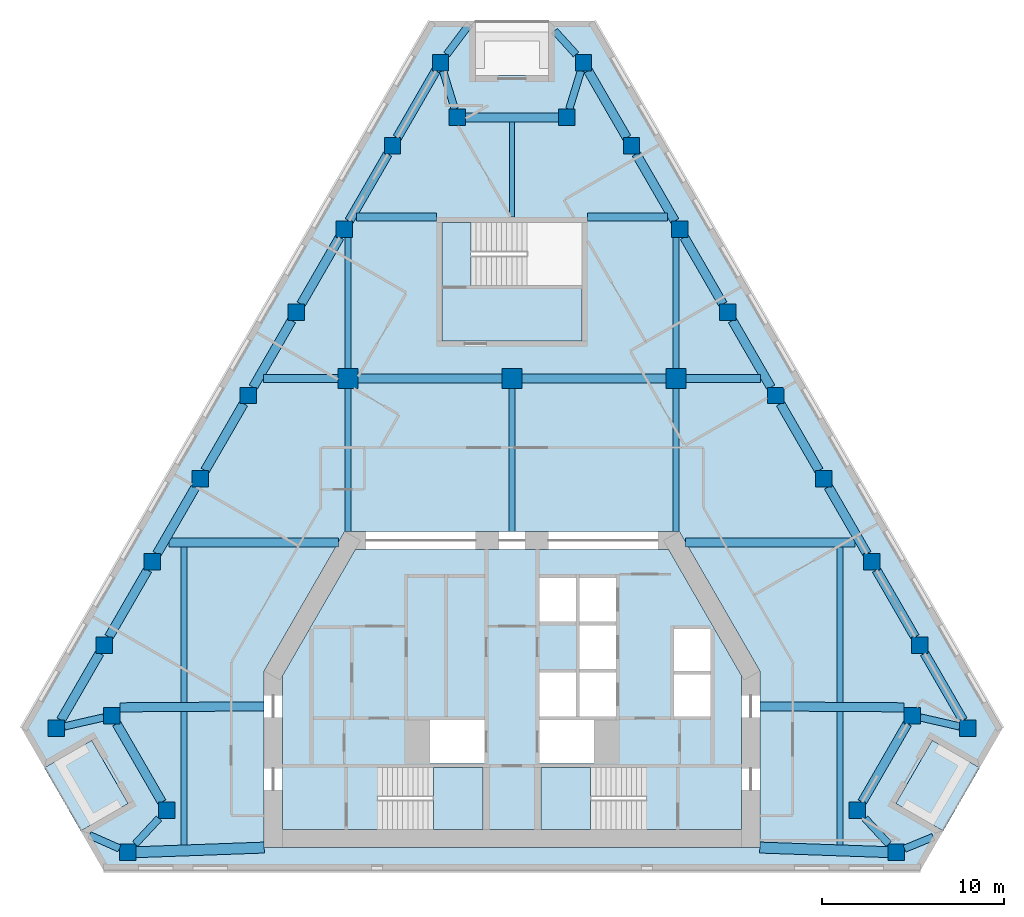
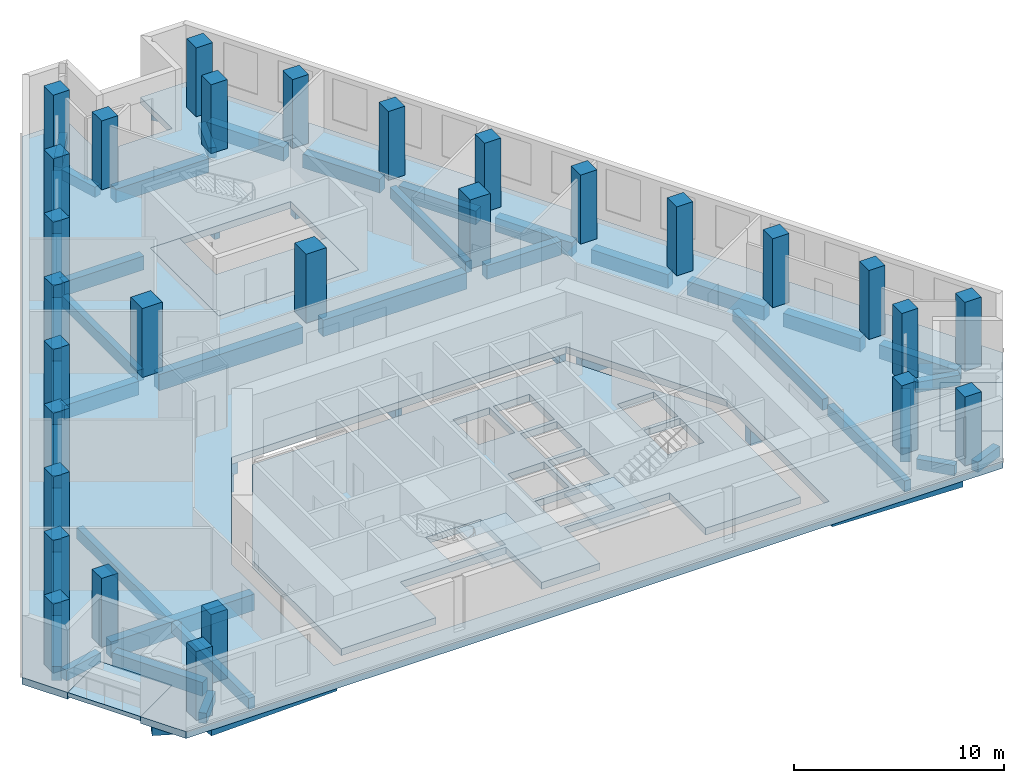
# One storey, part 1 of 8: 51 beams, 29 columns, 7 slabs, 2 elements without a shape of their own.
"""IFC4 building model written with IfcOpenShell, lengths in metres."""

from ifc_helpers import new_model, si_unit, direction, frame, origin, origin_2d, place, context, subcontext, project, spatial, polyline, rectangle, outline, extrude, material, layer, layer_set, material_profile, profile_set, type_object, element, aggregate, save


model = new_model("IFC4")

# Units and contexts
model_context = context("Model", 3, precision=1e-05, world=origin(), true_north=direction((0.0, 1.0)))
body_context = subcontext(model_context, "Body", "Model", "MODEL_VIEW")
ifc_project = project(units=[si_unit("LENGTHUNIT", "METRE"), si_unit("AREAUNIT", "SQUARE_METRE"), si_unit("VOLUMEUNIT", "CUBIC_METRE"), si_unit("PLANEANGLEUNIT", "RADIAN"), si_unit("MASSUNIT", "GRAM", prefix="KILO")], contexts=[model_context])

# Site, building, storey
site_placement = place(None, origin())
site = spatial("IfcSite", under=ifc_project, at=site_placement, CompositionType="ELEMENT")
building_placement = place(site_placement, origin())
building = spatial("IfcBuilding", under=site, at=building_placement, Name="Fogline Exchange Tower", CompositionType="ELEMENT")
storey_placement = place(building_placement, frame((0.0, 0.0, 223.5)))
storey = spatial("IfcBuildingStorey", under=building, at=storey_placement, Name="L50", CompositionType="ELEMENT", Elevation=223.5)

# Columns
ifc_material_1 = material(Name="Concrete C60", Category="concrete")
ifc_material_profile_1 = material_profile(ifc_material_1, rectangle(XDim=1.10009765625, YDim=1.10009765625, at=origin_2d()), Name="RC 1100x1100")
ifc_profile_set_1 = profile_set([ifc_material_profile_1], Name="Concrete C60")
column_type_1 = type_object("IfcColumnType", Name="C05", PredefinedType="COLUMN", material=ifc_profile_set_1)
for number, where, z_axis, x_axis, name in (
    (1, (-9.0, 27.0, 0.0), (0.0, 0.0, 1.0), (1.0, 0.0, 0.0), "IC--9-27"),
    (2, (0.0, 27.0, 0.0), (0.0, 0.0, 1.0), (1.0, 0.0, 0.0), "IC-0-27"),
    (3, (9.0, 27.0, 0.0), (0.0, 0.0, 1.0), (1.0, 0.0, 0.0), "IC-9-27"),
):
    element("IfcColumn", number, at=place(storey_placement, frame(where, z_axis=z_axis, x_axis=x_axis)), inside=storey, type_object=column_type_1, Name=name, PredefinedType="COLUMN", context=body_context, shape_type="SweptSolid", body=[
        extrude(rectangle(XDim=1.10009765625, YDim=1.10009765625, at=origin_2d()), origin(), (0.0, 0.0, 1.0), 4.0),
    ])
ifc_material_profile_2 = material_profile(ifc_material_1, rectangle(XDim=0.89990234375, YDim=0.89990234375, at=origin_2d()), Name="RC 900x900")
ifc_profile_set_2 = profile_set([ifc_material_profile_2], Name="Concrete C60")
column_type_2 = type_object("IfcColumnType", Name="C06", PredefinedType="COLUMN", material=ifc_profile_set_2)
for number, where, z_axis, x_axis, name in (
    (4, (-25.0146484375, 7.794189453125, 0.0), (0.0, 0.0, 1.0), (1.0, 0.0, 0.0), "SW-a"),
    (5, (-21.955322265625, 8.4951171875, 0.0), (0.0, 0.0, 1.0), (1.0, 0.0, 0.0), "SW-p4"),
    (6, (-18.955322265625, 3.299072265625, 0.0), (0.0, 0.0, 1.0), (1.0, 0.0, 0.0), "SW-p3"),
    (7, (-21.092041015625, 1.0, 0.0), (0.0, 0.0, 1.0), (1.0, 0.0, 0.0), "SW-b"),
    (8, (21.092041015625, 1.0, 0.0), (0.0, 0.0, 1.0), (1.0, 0.0, 0.0), "SE-a"),
    (9, (18.955322265625, 3.299072265625, 0.0), (0.0, 0.0, 1.0), (1.0, 0.0, 0.0), "SE-p4"),
    (10, (21.955322265625, 8.4951171875, 0.0), (0.0, 0.0, 1.0), (1.0, 0.0, 0.0), "SE-p3"),
    (11, (25.0146484375, 7.794189453125, 0.0), (0.0, 0.0, 1.0), (1.0, 0.0, 0.0), "SE-b"),
    (12, (22.378173828125, 12.36083984375, 0.0), (0.0, 0.0, 1.0), (1.0, 0.0, 0.0), "E1"),
    (13, (19.74169921875, 16.92724609375, 0.0), (0.0, 0.0, 1.0), (1.0, 0.0, 0.0), "E2"),
    (14, (17.105224609375, 21.493896484375, 0.0), (0.0, 0.0, 1.0), (1.0, 0.0, 0.0), "E3"),
    (15, (14.46875, 26.060302734375, 0.0), (0.0, 0.0, 1.0), (1.0, 0.0, 0.0), "E4"),
    (16, (11.832275390625, 30.626953125, 0.0), (0.0, 0.0, 1.0), (1.0, 0.0, 0.0), "E5"),
    (17, (9.19580078125, 35.193603515625, 0.0), (0.0, 0.0, 1.0), (1.0, 0.0, 0.0), "E6"),
    (18, (6.55908203125, 39.760009765625, 0.0), (0.0, 0.0, 1.0), (1.0, 0.0, 0.0), "E7"),
    (19, (3.922607421875, 44.32666015625, 0.0), (0.0, 0.0, 1.0), (1.0, 0.0, 0.0), "N-a"),
    (20, (3.0, 41.32666015625, 0.0), (0.0, 0.0, 1.0), (1.0, 0.0, 0.0), "N-p4"),
    (21, (-3.0, 41.32666015625, 0.0), (0.0, 0.0, 1.0), (1.0, 0.0, 0.0), "N-p3"),
    (22, (-3.922607421875, 44.32666015625, 0.0), (0.0, 0.0, 1.0), (1.0, 0.0, 0.0), "N-b"),
    (23, (-6.55908203125, 39.760009765625, 0.0), (0.0, 0.0, 1.0), (1.0, 0.0, 0.0), "W1"),
    (24, (-9.19580078125, 35.193603515625, 0.0), (0.0, 0.0, 1.0), (1.0, 0.0, 0.0), "W2"),
    (25, (-11.832275390625, 30.626953125, 0.0), (0.0, 0.0, 1.0), (1.0, 0.0, 0.0), "W3"),
    (26, (-14.46875, 26.060302734375, 0.0), (0.0, 0.0, 1.0), (1.0, 0.0, 0.0), "W4"),
    (27, (-17.105224609375, 21.493896484375, 0.0), (0.0, 0.0, 1.0), (1.0, 0.0, 0.0), "W5"),
    (28, (-19.74169921875, 16.92724609375, 0.0), (0.0, 0.0, 1.0), (1.0, 0.0, 0.0), "W6"),
    (29, (-22.378173828125, 12.36083984375, 0.0), (0.0, 0.0, 1.0), (1.0, 0.0, 0.0), "W7"),
):
    element("IfcColumn", number, at=place(storey_placement, frame(where, z_axis=z_axis, x_axis=x_axis)), inside=storey, type_object=column_type_2, Name=name, PredefinedType="COLUMN", context=body_context, shape_type="SweptSolid", body=[
        extrude(rectangle(XDim=0.89990234375, YDim=0.89990234375, at=origin_2d()), origin(), (0.0, 0.0, 1.0), 4.0),
    ])

# Beams
ifc_material_2 = material(Name="Concrete C40", Category="concrete")
ifc_material_profile_3 = material_profile(ifc_material_2, rectangle(XDim=0.300048828125, YDim=0.60009765625, at=origin_2d()), Name="RC 300x600")
ifc_profile_set_3 = profile_set([ifc_material_profile_3], Name="Concrete C40")
beam_type_1 = type_object("IfcBeamType", Name="B06", PredefinedType="BEAM", material=ifc_profile_set_3)
beam_1_placement = place(storey_placement, frame((0.0, 35.85693359375, -0.699951171875), z_axis=(0.0, 1.0, 0.0), x_axis=(-1.0, 0.0, 0.0)))
element("IfcBeam", 30, at=beam_1_placement, inside=storey, type_object=beam_type_1, Name="SB006", PredefinedType="BEAM", context=body_context, shape_type="SweptSolid", body=[
    extrude(rectangle(XDim=0.300048828125, YDim=0.60009765625, at=origin_2d()), origin(), (0.0, 0.0, 1.0), 5.2197265625),
])
ifc_material_profile_4 = material_profile(ifc_material_2, rectangle(XDim=0.60009765625, YDim=0.89990234375, at=origin_2d()), Name="RC 600x900")
ifc_profile_set_4 = profile_set([ifc_material_profile_4], Name="Concrete C40")
beam_type_2 = type_object("IfcBeamType", Name="B09", PredefinedType="BEAM", material=ifc_profile_set_4)
beam_2_placement = place(storey_placement, frame((-20.64208984375, 0.99462890625, -0.85009765625), z_axis=(0.999343107492, 0.036240219472, 0.0), x_axis=(-0.036240219472, 0.999343107492, 0.0)))
element("IfcBeam", 31, at=beam_2_placement, inside=storey, type_object=beam_type_2, Name="RB004", PredefinedType="BEAM", context=body_context, shape_type="SweptSolid", body=[
    extrude(rectangle(XDim=0.60009765625, YDim=0.89990234375, at=origin_2d()), origin(), (0.0, 0.0, 1.0), 7.046630859375),
])
beam_3_placement = place(storey_placement, frame((13.60009765625, 1.25, -0.85009765625), z_axis=(0.99937042328, -0.035478966629, 0.0), x_axis=(0.035478966629, 0.99937042328, 0.0)))
element("IfcBeam", 32, at=beam_3_placement, inside=storey, type_object=beam_type_2, Name="RB005", PredefinedType="BEAM", context=body_context, shape_type="SweptSolid", body=[
    extrude(rectangle(XDim=0.60009765625, YDim=0.89990234375, at=origin_2d()), origin(), (0.0, 0.0, 1.0), 7.04638671875),
])
ifc_material_profile_5 = material_profile(ifc_material_2, rectangle(XDim=0.5, YDim=0.800048828125, at=origin_2d()), Name="RC 500x800")
ifc_profile_set_5 = profile_set([ifc_material_profile_5], Name="Concrete C40")
beam_type_3 = type_object("IfcBeamType", Name="B10", PredefinedType="BEAM", material=ifc_profile_set_5)
for number, where, z_axis, x_axis, name in (
    (33, (-21.6953125, 8.045166015625, -0.800048828125), (0.499976646485, -0.866038886523, 0.0), (0.866038886523, 0.499976646485, 0.0), "RB002"),
    (34, (19.215087890625, 3.7490234375, -0.800048828125), (0.499976646485, 0.866038886523, 0.0), (-0.866038886523, 0.499976646485, 0.0), "RB007"),
):
    element("IfcBeam", number, at=place(storey_placement, frame(where, z_axis=z_axis, x_axis=x_axis)), inside=storey, type_object=beam_type_3, Name=name, PredefinedType="BEAM", context=body_context, shape_type="SweptSolid", body=[
        extrude(rectangle(XDim=0.5, YDim=0.800048828125, at=origin_2d()), origin(), (0.0, 0.0, 1.0), 4.960693359375),
    ])
beam_4_placement = place(storey_placement, frame((24.7548828125, 8.244140625, -0.800048828125), z_axis=(-0.499990325971, 0.866030989016, 0.0), x_axis=(-0.866030989016, -0.499990325971, 0.0)))
element("IfcBeam", 35, at=beam_4_placement, inside=storey, type_object=beam_type_3, Name="RB009", PredefinedType="BEAM", context=body_context, shape_type="SweptSolid", body=[
    extrude(rectangle(XDim=0.5, YDim=0.800048828125, at=origin_2d()), origin(), (0.0, 0.0, 1.0), 4.23388671875),
])
beam_5_placement = place(storey_placement, frame((22.118408203125, 12.810791015625, -0.800048828125), z_axis=(-0.500015295222, 0.866016572904, 0.0), x_axis=(-0.866016572904, -0.500015295222, 0.0)))
element("IfcBeam", 36, at=beam_5_placement, inside=storey, type_object=beam_type_3, Name="RB010", PredefinedType="BEAM", context=body_context, shape_type="SweptSolid", body=[
    extrude(rectangle(XDim=0.5, YDim=0.800048828125, at=origin_2d()), origin(), (0.0, 0.0, 1.0), 4.233642578125),
])
beam_6_placement = place(storey_placement, frame((19.481689453125, 17.377197265625, -0.800048828125), z_axis=(-0.499947076772, 0.866055956868, 0.0), x_axis=(-0.866055956868, -0.499947076772, 0.0)))
element("IfcBeam", 37, at=beam_6_placement, inside=storey, type_object=beam_type_3, Name="RB011", PredefinedType="BEAM", context=body_context, shape_type="SweptSolid", body=[
    extrude(rectangle(XDim=0.5, YDim=0.800048828125, at=origin_2d()), origin(), (0.0, 0.0, 1.0), 4.23388671875),
])
for number, where, z_axis, x_axis, name in (
    (38, (16.84521484375, 21.94384765625, -0.800048828125), (-0.499972045304, 0.866041542834, 0.0), (-0.866041542834, -0.499972045304, 0.0), "RB012"),
    (39, (14.208740234375, 26.510498046875, -0.800048828125), (-0.499972045304, 0.866041542834, 0.0), (-0.866041542834, -0.499972045304, 0.0), "RB013"),
    (40, (11.572265625, 31.076904296875, -0.800048828125), (-0.499972045304, 0.866041542834, 0.0), (-0.866041542834, -0.499972045304, 0.0), "RB014"),
    (41, (8.935791015625, 35.6435546875, -0.800048828125), (-0.499972045304, 0.866041542834, 0.0), (-0.866041542834, -0.499972045304, 0.0), "RB015"),
    (42, (6.29931640625, 40.210205078125, -0.800048828125), (-0.499972045304, 0.866041542834, 0.0), (-0.866041542834, -0.499972045304, 0.0), "RB016"),
):
    element("IfcBeam", number, at=place(storey_placement, frame(where, z_axis=z_axis, x_axis=x_axis)), inside=storey, type_object=beam_type_3, Name=name, PredefinedType="BEAM", context=body_context, shape_type="SweptSolid", body=[
        extrude(rectangle(XDim=0.5, YDim=0.800048828125, at=origin_2d()), origin(), (0.0, 0.0, 1.0), 4.233642578125),
    ])
beam_7_placement = place(storey_placement, frame((2.550048828125, 41.32666015625, -0.800048828125), z_axis=(-1.0, 0.0, 0.0), x_axis=(0.0, -1.0, 0.0)))
element("IfcBeam", 43, at=beam_7_placement, inside=storey, type_object=beam_type_3, Name="RB018", PredefinedType="BEAM", context=body_context, shape_type="SweptSolid", body=[
    extrude(rectangle(XDim=0.5, YDim=0.800048828125, at=origin_2d()), origin(), (0.0, 0.0, 1.0), 5.10009765625),
])
for number, where, z_axis, x_axis, name in (
    (44, (-4.1826171875, 43.876708984375, -0.800048828125), (-0.499972045304, -0.866041542834, 0.0), (0.866041542834, -0.499972045304, 0.0), "RB020"),
    (45, (-6.819091796875, 39.31005859375, -0.800048828125), (-0.499972045304, -0.866041542834, 0.0), (0.866041542834, -0.499972045304, 0.0), "RB021"),
    (46, (-9.45556640625, 34.743408203125, -0.800048828125), (-0.499972045304, -0.866041542834, 0.0), (0.866041542834, -0.499972045304, 0.0), "RB022"),
    (47, (-12.092041015625, 30.177001953125, -0.800048828125), (-0.499972045304, -0.866041542834, 0.0), (0.866041542834, -0.499972045304, 0.0), "RB023"),
    (48, (-14.728515625, 25.6103515625, -0.800048828125), (-0.499972045304, -0.866041542834, 0.0), (0.866041542834, -0.499972045304, 0.0), "RB024"),
):
    element("IfcBeam", number, at=place(storey_placement, frame(where, z_axis=z_axis, x_axis=x_axis)), inside=storey, type_object=beam_type_3, Name=name, PredefinedType="BEAM", context=body_context, shape_type="SweptSolid", body=[
        extrude(rectangle(XDim=0.5, YDim=0.800048828125, at=origin_2d()), origin(), (0.0, 0.0, 1.0), 4.233642578125),
    ])
beam_8_placement = place(storey_placement, frame((-17.364990234375, 21.0439453125, -0.800048828125), z_axis=(-0.499947076772, -0.866055956868, 0.0), x_axis=(0.866055956868, -0.499947076772, 0.0)))
element("IfcBeam", 49, at=beam_8_placement, inside=storey, type_object=beam_type_3, Name="RB025", PredefinedType="BEAM", context=body_context, shape_type="SweptSolid", body=[
    extrude(rectangle(XDim=0.5, YDim=0.800048828125, at=origin_2d()), origin(), (0.0, 0.0, 1.0), 4.23388671875),
])
beam_9_placement = place(storey_placement, frame((-20.00146484375, 16.477294921875, -0.800048828125), z_axis=(-0.500015295222, -0.866016572904, 0.0), x_axis=(0.866016572904, -0.500015295222, 0.0)))
element("IfcBeam", 50, at=beam_9_placement, inside=storey, type_object=beam_type_3, Name="RB026", PredefinedType="BEAM", context=body_context, shape_type="SweptSolid", body=[
    extrude(rectangle(XDim=0.5, YDim=0.800048828125, at=origin_2d()), origin(), (0.0, 0.0, 1.0), 4.233642578125),
])
beam_10_placement = place(storey_placement, frame((-22.637939453125, 11.910888671875, -0.800048828125), z_axis=(-0.499990325971, -0.866030989016, 0.0), x_axis=(0.866030989016, -0.499990325971, 0.0)))
element("IfcBeam", 51, at=beam_10_placement, inside=storey, type_object=beam_type_3, Name="RB027", PredefinedType="BEAM", context=body_context, shape_type="SweptSolid", body=[
    extrude(rectangle(XDim=0.5, YDim=0.800048828125, at=origin_2d()), origin(), (0.0, 0.0, 1.0), 4.23388671875),
])
ifc_material_profile_6 = material_profile(ifc_material_2, rectangle(XDim=0.39990234375, YDim=0.60009765625, at=origin_2d()), Name="RC 400x600")
ifc_profile_set_6 = profile_set([ifc_material_profile_6], Name="Concrete C40")
beam_type_4 = type_object("IfcBeamType", Name="B11", PredefinedType="BEAM", material=ifc_profile_set_6)
beam_11_placement = place(storey_placement, frame((-24.564697265625, 7.897216796875, -0.699951171875), z_axis=(0.974731818643, 0.223378337636, 0.0), x_axis=(-0.223378337636, 0.974731818643, 0.0)))
element("IfcBeam", 52, at=beam_11_placement, inside=storey, type_object=beam_type_4, Name="RB001", PredefinedType="BEAM", context=body_context, shape_type="SweptSolid", body=[
    extrude(rectangle(XDim=0.39990234375, YDim=0.60009765625, at=origin_2d()), origin(), (0.0, 0.0, 1.0), 2.21533203125),
])
for number, where, z_axis, x_axis, name in (
    (53, (-19.37353515625, 2.84912109375, -0.699951171875), (-0.68075009804, -0.732515736362, 0.0), (0.732515736362, -0.68075009804, 0.0), "RB003"),
    (54, (20.673828125, 1.449951171875, -0.699951171875), (-0.68075009804, 0.732515736362, 0.0), (-0.732515736362, -0.68075009804, 0.0), "RB006"),
):
    element("IfcBeam", number, at=place(storey_placement, frame(where, z_axis=z_axis, x_axis=x_axis)), inside=storey, type_object=beam_type_4, Name=name, PredefinedType="BEAM", context=body_context, shape_type="SweptSolid", body=[
        extrude(rectangle(XDim=0.39990234375, YDim=0.60009765625, at=origin_2d()), origin(), (0.0, 0.0, 1.0), 1.91015625),
    ])
beam_12_placement = place(storey_placement, frame((22.4052734375, 8.39208984375, -0.699951171875), z_axis=(0.974731818643, -0.223378337636, 0.0), x_axis=(0.223378337636, 0.974731818643, 0.0)))
element("IfcBeam", 55, at=beam_12_placement, inside=storey, type_object=beam_type_4, Name="RB008", PredefinedType="BEAM", context=body_context, shape_type="SweptSolid", body=[
    extrude(rectangle(XDim=0.39990234375, YDim=0.60009765625, at=origin_2d()), origin(), (0.0, 0.0, 1.0), 2.21533203125),
])
for number, where, z_axis, x_axis, name in (
    (56, (3.7841796875, 43.876708984375, -0.699951171875), (-0.293906253456, -0.95583425037, 0.0), (0.95583425037, -0.293906253456, 0.0), "RB017"),
    (57, (-3.138427734375, 41.776611328125, -0.699951171875), (-0.293906253456, 0.95583425037, 0.0), (-0.95583425037, -0.293906253456, 0.0), "RB019"),
):
    element("IfcBeam", number, at=place(storey_placement, frame(where, z_axis=z_axis, x_axis=x_axis)), inside=storey, type_object=beam_type_4, Name=name, PredefinedType="BEAM", context=body_context, shape_type="SweptSolid", body=[
        extrude(rectangle(XDim=0.39990234375, YDim=0.60009765625, at=origin_2d()), origin(), (0.0, 0.0, 1.0), 2.197021484375),
    ])
beam_13_placement = place(storey_placement, frame((-3.584228515625, 44.776611328125, -0.699951171875), z_axis=(0.600886339701, 0.7993344774, 0.0), x_axis=(-0.7993344774, 0.600886339701, 0.0)))
element("IfcBeam", 58, at=beam_13_placement, inside=storey, type_object=beam_type_4, Name="SP028", PredefinedType="BEAM", context=body_context, shape_type="SweptSolid", body=[
    extrude(rectangle(XDim=0.39990234375, YDim=0.60009765625, at=origin_2d()), origin(), (0.0, 0.0, 1.0), 2.070556640625),
])
beam_14_placement = place(storey_placement, frame((3.513916015625, 44.776611328125, -0.699951171875), z_axis=(-0.672492366822, 0.740104057931, 0.0), x_axis=(-0.740104057931, -0.672492366822, 0.0)))
element("IfcBeam", 59, at=beam_14_placement, inside=storey, type_object=beam_type_4, Name="SP029", PredefinedType="BEAM", context=body_context, shape_type="SweptSolid", body=[
    extrude(rectangle(XDim=0.39990234375, YDim=0.60009765625, at=origin_2d()), origin(), (0.0, 0.0, 1.0), 1.751220703125),
])
beam_15_placement = place(storey_placement, frame((-21.5419921875, 1.199951171875, -0.699951171875), z_axis=(-0.913783638153, 0.406201258791, 0.0), x_axis=(-0.406201258791, -0.913783638153, 0.0)))
element("IfcBeam", 60, at=beam_15_placement, inside=storey, type_object=beam_type_4, Name="SP030", PredefinedType="BEAM", context=body_context, shape_type="SweptSolid", body=[
    extrude(rectangle(XDim=0.39990234375, YDim=0.60009765625, at=origin_2d()), origin(), (0.0, 0.0, 1.0), 1.8037109375),
])
beam_16_placement = place(storey_placement, frame((21.5419921875, 1.185302734375, -0.699951171875), z_axis=(0.924684018073, 0.380735428771, 0.0), x_axis=(-0.380735428771, 0.924684018073, 0.0)))
element("IfcBeam", 61, at=beam_16_placement, inside=storey, type_object=beam_type_4, Name="SP031", PredefinedType="BEAM", context=body_context, shape_type="SweptSolid", body=[
    extrude(rectangle(XDim=0.39990234375, YDim=0.60009765625, at=origin_2d()), origin(), (0.0, 0.0, 1.0), 1.708251953125),
])
ifc_material_profile_7 = material_profile(ifc_material_2, rectangle(XDim=0.5, YDim=0.949951171875, at=origin_2d()), Name="RC 500x950")
ifc_profile_set_7 = profile_set([ifc_material_profile_7], Name="Concrete C40")
beam_type_5 = type_object("IfcBeamType", Name="B14", PredefinedType="BEAM", material=ifc_profile_set_7)
for number, where, z_axis, x_axis, name in (
    (62, (-21.50537109375, 8.9453125, -0.875), (0.999976072531, 0.006917684998, 0.0), (-0.006917684998, 0.999976072531, 0.0), "GB001"),
    (63, (13.60009765625, 9.0, -0.875), (0.999976072531, -0.006917684998, 0.0), (0.006917684998, 0.999976072531, 0.0), "GB002"),
):
    element("IfcBeam", number, at=place(storey_placement, frame(where, z_axis=z_axis, x_axis=x_axis)), inside=storey, type_object=beam_type_5, Name=name, PredefinedType="BEAM", context=body_context, shape_type="SweptSolid", body=[
        extrude(rectangle(XDim=0.5, YDim=0.949951171875, at=origin_2d()), origin(), (0.0, 0.0, 1.0), 7.905517578125),
    ])
for number, where, z_axis, x_axis, name in (
    (64, (-18.833740234375, 18.0, -0.875), (1.0, 0.0, 0.0), (0.0, 1.0, 0.0), "GB003"),
    (65, (9.527099609375, 18.0, -0.875), (1.0, 0.0, 0.0), (0.0, 1.0, 0.0), "GB004"),
):
    element("IfcBeam", number, at=place(storey_placement, frame(where, z_axis=z_axis, x_axis=x_axis)), inside=storey, type_object=beam_type_5, Name=name, PredefinedType="BEAM", context=body_context, shape_type="SweptSolid", body=[
        extrude(rectangle(XDim=0.5, YDim=0.949951171875, at=origin_2d()), origin(), (0.0, 0.0, 1.0), 9.306640625),
    ])
for number, where, z_axis, x_axis, name in (
    (66, (-8.449951171875, 27.0, -0.875), (1.0, 0.0, 0.0), (0.0, 1.0, 0.0), "GB006"),
    (67, (0.550048828125, 27.0, -0.875), (1.0, 0.0, 0.0), (0.0, 1.0, 0.0), "GB007"),
):
    element("IfcBeam", number, at=place(storey_placement, frame(where, z_axis=z_axis, x_axis=x_axis)), inside=storey, type_object=beam_type_5, Name=name, PredefinedType="BEAM", context=body_context, shape_type="SweptSolid", body=[
        extrude(rectangle(XDim=0.5, YDim=0.949951171875, at=origin_2d()), origin(), (0.0, 0.0, 1.0), 7.89990234375),
    ])
ifc_material_profile_8 = material_profile(ifc_material_2, rectangle(XDim=0.35009765625, YDim=0.64990234375, at=origin_2d()), Name="RC 350x650")
ifc_profile_set_8 = profile_set([ifc_material_profile_8], Name="Concrete C40")
beam_type_6 = type_object("IfcBeamType", Name="B16", PredefinedType="BEAM", material=ifc_profile_set_8)
beam_17_placement = place(storey_placement, frame((-18.0, 1.390625, -0.72509765625), z_axis=(0.0, 1.0, 0.0), x_axis=(-1.0, 0.0, 0.0)))
element("IfcBeam", 68, at=beam_17_placement, inside=storey, type_object=beam_type_6, Name="SB001", PredefinedType="BEAM", context=body_context, shape_type="SweptSolid", body=[
    extrude(rectangle(XDim=0.35009765625, YDim=0.64990234375, at=origin_2d()), origin(), (0.0, 0.0, 1.0), 7.328857421875),
])
beam_18_placement = place(storey_placement, frame((-18.0, 9.219482421875, -0.72509765625), z_axis=(0.0, 1.0, 0.0), x_axis=(-1.0, 0.0, 0.0)))
element("IfcBeam", 69, at=beam_18_placement, inside=storey, type_object=beam_type_6, Name="SB002", PredefinedType="BEAM", context=body_context, shape_type="SweptSolid", body=[
    extrude(rectangle(XDim=0.35009765625, YDim=0.64990234375, at=origin_2d()), origin(), (0.0, 0.0, 1.0), 8.530517578125),
])
beam_19_placement = place(storey_placement, frame((-9.0, 18.60009765625, -0.72509765625), z_axis=(0.0, 1.0, 0.0), x_axis=(-1.0, 0.0, 0.0)))
element("IfcBeam", 70, at=beam_19_placement, inside=storey, type_object=beam_type_6, Name="SB003", PredefinedType="BEAM", context=body_context, shape_type="SweptSolid", body=[
    extrude(rectangle(XDim=0.35009765625, YDim=0.64990234375, at=origin_2d()), origin(), (0.0, 0.0, 1.0), 7.849853515625),
])
beam_20_placement = place(storey_placement, frame((-9.0, 27.550048828125, -0.72509765625), z_axis=(0.0, 1.0, 0.0), x_axis=(-1.0, 0.0, 0.0)))
element("IfcBeam", 71, at=beam_20_placement, inside=storey, type_object=beam_type_6, Name="SB004", PredefinedType="BEAM", context=body_context, shape_type="SweptSolid", body=[
    extrude(rectangle(XDim=0.35009765625, YDim=0.64990234375, at=origin_2d()), origin(), (0.0, 0.0, 1.0), 7.193359375),
])
for number, where, z_axis, x_axis, name in (
    (72, (0.0, 18.60009765625, -0.72509765625), (0.0, 1.0, 0.0), (-1.0, 0.0, 0.0), "SB005"),
    (73, (9.0, 18.60009765625, -0.72509765625), (0.0, 1.0, 0.0), (-1.0, 0.0, 0.0), "SB007"),
):
    element("IfcBeam", number, at=place(storey_placement, frame(where, z_axis=z_axis, x_axis=x_axis)), inside=storey, type_object=beam_type_6, Name=name, PredefinedType="BEAM", context=body_context, shape_type="SweptSolid", body=[
        extrude(rectangle(XDim=0.35009765625, YDim=0.64990234375, at=origin_2d()), origin(), (0.0, 0.0, 1.0), 7.849853515625),
    ])
beam_21_placement = place(storey_placement, frame((9.0, 27.550048828125, -0.72509765625), z_axis=(0.0, 1.0, 0.0), x_axis=(-1.0, 0.0, 0.0)))
element("IfcBeam", 74, at=beam_21_placement, inside=storey, type_object=beam_type_6, Name="SB008", PredefinedType="BEAM", context=body_context, shape_type="SweptSolid", body=[
    extrude(rectangle(XDim=0.35009765625, YDim=0.64990234375, at=origin_2d()), origin(), (0.0, 0.0, 1.0), 7.193359375),
])
beam_22_placement = place(storey_placement, frame((18.0, 1.39404296875, -0.72509765625), z_axis=(0.0, 1.0, 0.0), x_axis=(-1.0, 0.0, 0.0)))
element("IfcBeam", 75, at=beam_22_placement, inside=storey, type_object=beam_type_6, Name="SB009", PredefinedType="BEAM", context=body_context, shape_type="SweptSolid", body=[
    extrude(rectangle(XDim=0.35009765625, YDim=0.64990234375, at=origin_2d()), origin(), (0.0, 0.0, 1.0), 7.325439453125),
])
beam_23_placement = place(storey_placement, frame((18.0, 9.219482421875, -0.72509765625), z_axis=(0.0, 1.0, 0.0), x_axis=(-1.0, 0.0, 0.0)))
element("IfcBeam", 76, at=beam_23_placement, inside=storey, type_object=beam_type_6, Name="SB010", PredefinedType="BEAM", context=body_context, shape_type="SweptSolid", body=[
    extrude(rectangle(XDim=0.35009765625, YDim=0.64990234375, at=origin_2d()), origin(), (0.0, 0.0, 1.0), 8.530517578125),
])
ifc_material_profile_9 = material_profile(ifc_material_2, rectangle(XDim=0.449951171875, YDim=0.800048828125, at=origin_2d()), Name="RC 450x800")
ifc_profile_set_9 = profile_set([ifc_material_profile_9], Name="Concrete C40")
beam_type_7 = type_object("IfcBeamType", Name="B18", PredefinedType="BEAM", material=ifc_profile_set_9)
for number, where, z_axis, x_axis, name in (
    (77, (-13.637451171875, 27.0, -0.800048828125), (1.0, 0.0, 0.0), (0.0, 1.0, 0.0), "GB005"),
    (78, (9.550048828125, 27.0, -0.800048828125), (1.0, 0.0, 0.0), (0.0, 1.0, 0.0), "GB008"),
):
    element("IfcBeam", number, at=place(storey_placement, frame(where, z_axis=z_axis, x_axis=x_axis)), inside=storey, type_object=beam_type_7, Name=name, PredefinedType="BEAM", context=body_context, shape_type="SweptSolid", body=[
        extrude(rectangle(XDim=0.449951171875, YDim=0.800048828125, at=origin_2d()), origin(), (0.0, 0.0, 1.0), 4.08740234375),
    ])
for number, where, z_axis, x_axis, name in (
    (79, (-8.52392578125, 35.85693359375, -0.800048828125), (1.0, 0.0, 0.0), (0.0, 1.0, 0.0), "GB009"),
    (80, (4.14990234375, 35.85693359375, -0.800048828125), (1.0, 0.0, 0.0), (0.0, 1.0, 0.0), "GB010"),
):
    element("IfcBeam", number, at=place(storey_placement, frame(where, z_axis=z_axis, x_axis=x_axis)), inside=storey, type_object=beam_type_7, Name=name, PredefinedType="BEAM", context=body_context, shape_type="SweptSolid", body=[
        extrude(rectangle(XDim=0.449951171875, YDim=0.800048828125, at=origin_2d()), origin(), (0.0, 0.0, 1.0), 4.3740234375),
    ])

# Slabs
ifc_layer_1 = layer(ifc_material_2, 0.25)
ifc_layer_set_1 = layer_set([ifc_layer_1], Name="DK1")
slab_type_1 = type_object("IfcSlabType", Name="DK1", PredefinedType="FLOOR", material=ifc_layer_set_1)
slab_1_placement = place(storey_placement, frame((0.0, 0.0, -0.25)))
element("IfcSlab", 81, at=slab_1_placement, inside=storey, type_object=slab_type_1, Name="Balcony L50 SW", PredefinedType="FLOOR", context=body_context, shape_type="SweptSolid", body=[
    extrude(outline(polyline([(-25.6640625, 5.629150390625), (-23.6640625, 2.1650390625), (-21.066162109375, 3.6650390625), (-23.066162109375, 7.129150390625), (-25.6640625, 5.629150390625)])), origin(), (0.0, 0.0, 1.0), 0.25),
])
slab_2_placement = place(storey_placement, frame((0.0, 0.0, -0.25)))
element("IfcSlab", 82, at=slab_2_placement, inside=storey, type_object=slab_type_1, Name="Balcony L50 SE", PredefinedType="FLOOR", context=body_context, shape_type="SweptSolid", body=[
    extrude(outline(polyline([(23.6640625, 2.1650390625), (25.6640625, 5.629150390625), (23.066162109375, 7.129150390625), (21.066162109375, 3.6650390625), (23.6640625, 2.1650390625)])), origin(), (0.0, 0.0, 1.0), 0.25),
])
ifc_layer_2 = layer(ifc_material_2, 0.39990234375)
ifc_layer_set_2 = layer_set([ifc_layer_2], Name="S03")
slab_type_2 = type_object("IfcSlabType", Name="S03", PredefinedType="FLOOR", material=ifc_layer_set_2)
slab_3_placement = place(storey_placement, frame((0.0, 0.0, -0.39990234375)))
element("IfcSlab", 83, at=slab_3_placement, inside=storey, type_object=slab_type_2, Name="SLAB L50", PredefinedType="FLOOR", context=body_context, shape_type="SweptSolid", body=[
    extrude(outline(polyline([(-2.0, 46.61669921875), (-4.5, 46.61669921875), (-26.9140625, 7.794189453125), (-25.6640625, 5.629150390625), (-23.066162109375, 7.129150390625), (-21.066162109375, 3.6650390625), (-23.6640625, 2.1650390625), (-22.4140625, 0.0), (22.4140625, 0.0), (23.6640625, 2.1650390625), (21.066162109375, 3.6650390625), (23.066162109375, 7.129150390625), (25.6640625, 5.629150390625), (26.9140625, 7.794189453125), (4.5, 46.61669921875), (2.0, 46.61669921875), (2.0, 43.61669921875), (-2.0, 43.61669921875), (-2.0, 46.61669921875)]), holes=[polyline([(13.60009765625, 10.9453125), (13.60009765625, 1.25), (-13.60009765625, 1.25), (-13.60009765625, 10.9453125), (-9.1806640625, 18.60009765625), (9.1806640625, 18.60009765625), (13.60009765625, 10.9453125)]), polyline([(3.85009765625, 35.556884765625), (3.85009765625, 29.056884765625), (-3.85009765625, 29.056884765625), (-3.85009765625, 35.556884765625), (3.85009765625, 35.556884765625)])]), origin(), (0.0, 0.0, 1.0), 0.39990234375),
])
slab_4_placement = place(storey_placement, frame((0.0, 0.0, -0.39990234375)))
element("IfcSlab", 84, at=slab_4_placement, inside=storey, type_object=slab_type_2, Name="Core floor slab", PredefinedType="FLOOR", context=body_context, shape_type="SweptSolid", body=[
    extrude(outline(polyline([(-12.60009765625, 2.25), (-12.60009765625, 10.677490234375), (-8.603271484375, 17.60009765625), (8.603271484375, 17.60009765625), (12.60009765625, 10.677490234375), (12.60009765625, 2.25), (7.389892578125, 2.25), (7.389892578125, 5.64990234375), (1.60009765625, 5.64990234375), (1.60009765625, 2.25), (-1.60009765625, 2.25), (-1.60009765625, 5.64990234375), (-7.389892578125, 5.64990234375), (-7.389892578125, 2.25), (-12.60009765625, 2.25)]), holes=[polyline([(-4.5, 8.25), (-4.5, 5.85009765625), (-1.5, 5.85009765625), (-1.5, 8.25), (-4.5, 8.25)]), polyline([(4.5, 8.25), (1.5, 8.25), (1.5, 5.85009765625), (4.5, 5.85009765625), (4.5, 8.25)]), polyline([(3.5, 10.85009765625), (1.5, 10.85009765625), (1.5, 8.449951171875), (3.5, 8.449951171875), (3.5, 10.85009765625)]), polyline([(1.5, 16.050048828125), (1.5, 13.64990234375), (3.5, 13.64990234375), (3.5, 16.050048828125), (1.5, 16.050048828125)]), polyline([(10.89990234375, 10.75), (8.89990234375, 10.75), (8.89990234375, 8.449951171875), (10.89990234375, 8.449951171875), (10.89990234375, 10.75)]), polyline([(5.699951171875, 10.85009765625), (3.699951171875, 10.85009765625), (3.699951171875, 8.449951171875), (5.699951171875, 8.449951171875), (5.699951171875, 10.85009765625)]), polyline([(8.89990234375, 13.25), (8.89990234375, 10.949951171875), (10.89990234375, 10.949951171875), (10.89990234375, 13.25), (8.89990234375, 13.25)]), polyline([(5.699951171875, 13.449951171875), (3.699951171875, 13.449951171875), (3.699951171875, 11.050048828125), (5.699951171875, 11.050048828125), (5.699951171875, 13.449951171875)]), polyline([(5.699951171875, 16.050048828125), (3.699951171875, 16.050048828125), (3.699951171875, 13.64990234375), (5.699951171875, 13.64990234375), (5.699951171875, 16.050048828125)])]), origin(), (0.0, 0.0, 1.0), 0.39990234375),
])
slab_5_placement = place(storey_placement, frame((0.0, 0.0, -0.39990234375)))
element("IfcSlab", 85, at=slab_5_placement, inside=storey, type_object=slab_type_2, Name="Stair enclosure floor slab", PredefinedType="FLOOR", context=body_context, shape_type="SweptSolid", body=[
    extrude(outline(polyline([(3.85009765625, 29.056884765625), (-3.85009765625, 29.056884765625), (-3.85009765625, 35.556884765625), (-2.239990234375, 35.556884765625), (-2.239990234375, 32.10693359375), (3.85009765625, 32.10693359375), (3.85009765625, 29.056884765625)])), origin(), (0.0, 0.0, 1.0), 0.39990234375),
])

# Stair, slab
stair_type = type_object("IfcStairType", Name="STR24-1667", PredefinedType="HALF_TURN_STAIR", material=ifc_material_2)
stair_1_placement = place(storey_placement, origin())
stair_1 = element("IfcStair", 86, at=stair_1_placement, inside=storey, type_object=stair_type, Name="Stair ST1", PredefinedType="HALF_TURN_STAIR")
ifc_layer_3 = layer(ifc_material_2, 0.199951171875)
ifc_layer_set_3 = layer_set([ifc_layer_3], Name="SL200")
slab_type_3 = type_object("IfcSlabType", Name="SL200", PredefinedType="LANDING", material=ifc_layer_set_3)
slab_6_placement = place(storey_placement, frame((0.0, 0.0, 1.800048828125)))
slab_6 = element("IfcSlab", 87, at=slab_6_placement, type_object=slab_type_3, Name="ST1 landing 1", PredefinedType="LANDING", context=body_context, shape_type="SweptSolid", body=[
    extrude(outline(polyline([(-4.320068359375, 2.25), (-1.60009765625, 2.25), (-1.60009765625, 5.64990234375), (-4.320068359375, 5.64990234375), (-4.320068359375, 2.25)])), origin(), (0.0, 0.0, 1.0), 0.199951171875),
])
aggregate(stair_1, [slab_6])

stair_2_placement = place(storey_placement, origin())
stair_2 = element("IfcStair", 88, at=stair_2_placement, inside=storey, type_object=stair_type, Name="Stair ST2", PredefinedType="HALF_TURN_STAIR")
slab_7_placement = place(storey_placement, frame((0.0, 0.0, 1.800048828125)))
slab_7 = element("IfcSlab", 89, at=slab_7_placement, type_object=slab_type_3, Name="ST2 landing 1", PredefinedType="LANDING", context=body_context, shape_type="SweptSolid", body=[
    extrude(outline(polyline([(1.60009765625, 2.25), (4.320068359375, 2.25), (4.320068359375, 5.64990234375), (1.60009765625, 5.64990234375), (1.60009765625, 2.25)])), origin(), (0.0, 0.0, 1.0), 0.199951171875),
])
aggregate(stair_2, [slab_7])

save(model, "model.ifc")
